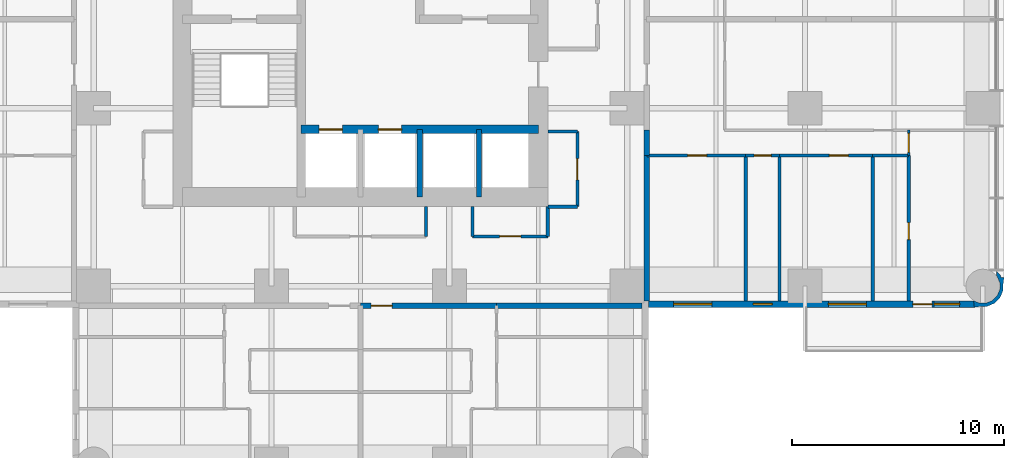
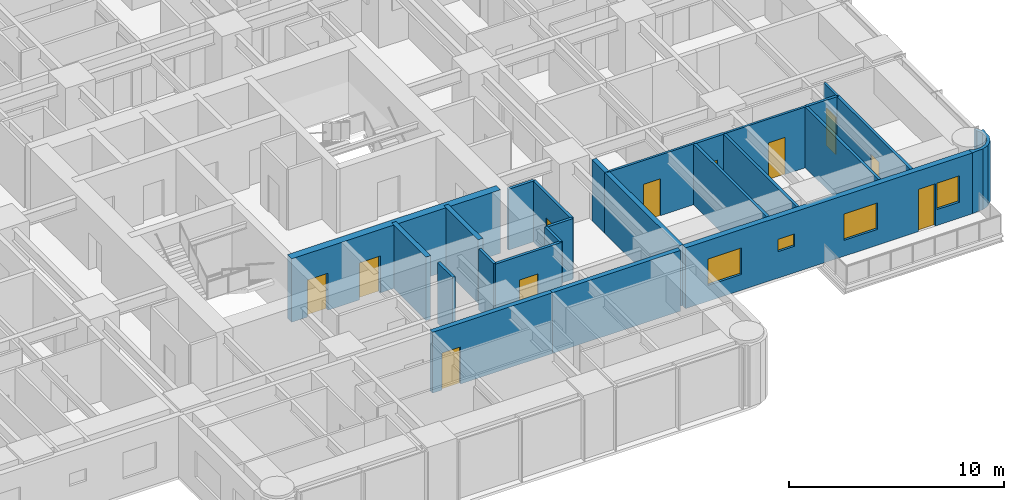
# One storey, part 9 of 15: 25 walls, 11 doors, 4 windows, 15 openings.
"""IFC4 building model written with IfcOpenShell, lengths in metres."""

from ifc_helpers import new_model, si_unit, direction, frame, frame_2d, origin, place, context, subcontext, project, spatial, polyline, rectangle, outline, extrude, material, layer, layer_set, type_object, element, fill, save


model = new_model("IFC4")

# Units and contexts
model_context = context("Model", 3, precision=1e-05, world=origin(), true_north=direction((0.0, 1.0)))
body_context = subcontext(model_context, "Body", "Model", "MODEL_VIEW")
ifc_project = project(units=[si_unit("LENGTHUNIT", "METRE"), si_unit("AREAUNIT", "SQUARE_METRE"), si_unit("VOLUMEUNIT", "CUBIC_METRE"), si_unit("PLANEANGLEUNIT", "RADIAN"), si_unit("MASSUNIT", "GRAM", prefix="KILO")], contexts=[model_context])

# Site, building, storey
site_placement = place(None, origin())
site = spatial("IfcSite", under=ifc_project, at=site_placement, CompositionType="ELEMENT")
building_placement = place(site_placement, origin())
building = spatial("IfcBuilding", under=site, at=building_placement, Name="Torre Alcanfor", CompositionType="ELEMENT")
storey_placement = place(building_placement, frame((0.0, 0.0, 148.5)))
storey = spatial("IfcBuildingStorey", under=building, at=storey_placement, Name="L38", CompositionType="ELEMENT", Elevation=148.5)

# Walls
ifc_material_1 = material(Name="Concrete block masonry, hollow blocks NMX-C-404 9 MPa", Category="masonry")
ifc_layer_1 = layer(ifc_material_1, 0.25)
ifc_layer_set_1 = layer_set([ifc_layer_1], Name="Apartment entrance wall 250 EI 60")
wall_type_1 = type_object("IfcWallType", Name="Apartment entrance wall 250 EI 60", PredefinedType="PARTITIONING", material=ifc_layer_set_1)
wall_1_placement = place(storey_placement, frame((42.925048828125, 24.1708984375, 0.0), z_axis=(0.0, 0.0, 1.0), x_axis=(0.0, -1.0, 0.0)))
element("IfcWall", 1, at=wall_1_placement, inside=storey, type_object=wall_type_1, Name="Partition L38-CORR / L38-E2-HALL", PredefinedType="PARTITIONING", context=body_context, shape_type="SweptSolid", body=[
    extrude(rectangle(XDim=1.199951171875, YDim=0.25, at=frame_2d((0.60009765625, 0.0))), origin(), (0.0, 0.0, 1.0), 3.449951171875),
])
wall_2_placement = place(storey_placement, frame((42.925048828125, 22.970947265625, 0.0), z_axis=(0.0, 0.0, 1.0), x_axis=(0.0, -1.0, 0.0)))
element("IfcWall", 2, at=wall_2_placement, inside=storey, type_object=wall_type_1, Name="Partition L38-CORR / L38-E2-BED3", PredefinedType="PARTITIONING", context=body_context, shape_type="SweptSolid", body=[
    extrude(rectangle(XDim=6.870849609375, YDim=0.25, at=frame_2d((3.435546875, 0.0))), origin(), (0.0, 0.0, 1.0), 3.449951171875),
])

# Wall, opening, door
wall_3_placement = place(storey_placement, frame((35.8291015625, 15.875, 0.0), z_axis=(0.0, 0.0, 1.0), x_axis=(-1.0, 0.0, 0.0)))
wall_3 = element("IfcWall", 3, at=wall_3_placement, inside=storey, type_object=wall_type_1, Name="Partition L38-CORR / L38-S1-LIVING", PredefinedType="PARTITIONING", context=body_context, shape_type="SweptSolid", body=[
    extrude(rectangle(XDim=6.42919921875, YDim=0.25, at=frame_2d((3.214599609375, 0.0))), origin(), (0.0, 0.0, 1.0), 3.449951171875),
])
opening_1_placement = place(wall_3_placement, frame((4.928955078125, 0.0, 0.0)))
opening_1 = element("IfcOpeningElement", 4, at=opening_1_placement, cuts=wall_3, Name="Opening D-A1", PredefinedType="OPENING", context=body_context, shape_type="SweptSolid", body=[
    extrude(rectangle(XDim=1.0, YDim=2.10009765625, at=frame_2d((0.5, 1.050048828125))), frame((0.0, 0.135009765625, 0.0), z_axis=(0.0, -1.0, 0.0), x_axis=(1.0, 0.0, 0.0)), (0.0, 0.0, 1.0), 0.27001953125),
])
ifc_material_2 = material(Name="Galvanised steel sheet ASTM A653", Category="steel")
door_type_1 = type_object("IfcDoorType", Name="Apartment entrance door FD60 1000x2100", OperationType="SINGLE_SWING_LEFT", PredefinedType="DOOR", material=ifc_material_2)
door_1_placement = place(opening_1_placement, origin())
door_1 = element("IfcDoor", 5, at=door_1_placement, inside=storey, type_object=door_type_1, Name="Apartment entrance L38-S1", OperationType="SINGLE_SWING_RIGHT", OverallHeight=2.10009765625, OverallWidth=1.0, PredefinedType="DOOR", context=body_context, shape_type="SweptSolid", body=[
    extrude(rectangle(XDim=1.0, YDim=2.10009765625, at=frame_2d((0.5, 1.050048828125))), frame((0.0, 0.02490234375, 0.0), z_axis=(0.0, -1.0, 0.0), x_axis=(1.0, 0.0, 0.0)), (0.0, 0.0, 1.0), 0.050048828125),
])
fill(opening_1, door_1)

# Wall
wall_4_placement = place(storey_placement, frame((42.699951171875, 15.875, 0.0), z_axis=(0.0, 0.0, 1.0), x_axis=(-1.0, 0.0, 0.0)))
element("IfcWall", 6, at=wall_4_placement, inside=storey, type_object=wall_type_1, Name="Partition L38-CORR / L38-S1-BATH", PredefinedType="PARTITIONING", context=body_context, shape_type="SweptSolid", body=[
    extrude(rectangle(XDim=6.870849609375, YDim=0.25, at=frame_2d((3.435546875, 0.0))), origin(), (0.0, 0.0, 1.0), 3.449951171875),
])

# Wall, opening, door
ifc_material_3 = material(Name="Gypsum board on steel studs", Category="steel")
ifc_layer_2 = layer(ifc_material_3, 0.1201171875)
ifc_layer_set_2 = layer_set([ifc_layer_2], Name="Apartment partition 120")
wall_type_2 = type_object("IfcWallType", Name="Apartment partition 120", PredefinedType="PARTITIONING", material=ifc_layer_set_2)
wall_5_placement = place(storey_placement, frame((47.60009765625, 22.970947265625, 0.0), z_axis=(0.0, 0.0, 1.0), x_axis=(-1.0, 0.0, 0.0)))
wall_5 = element("IfcWall", 7, at=wall_5_placement, inside=storey, type_object=wall_type_2, Name="Partition L38-E2-HALL / L38-E2-BED3", PredefinedType="PARTITIONING", context=body_context, shape_type="SweptSolid", body=[
    extrude(rectangle(XDim=4.675048828125, YDim=0.1201171875, at=frame_2d((2.33740234375, 0.0))), origin(), (0.0, 0.0, 1.0), 3.449951171875),
])
opening_2_placement = place(wall_5_placement, frame((1.85009765625, 0.0, 0.0)))
opening_2 = element("IfcOpeningElement", 8, at=opening_2_placement, cuts=wall_5, Name="Opening D-R1", PredefinedType="OPENING", context=body_context, shape_type="SweptSolid", body=[
    extrude(rectangle(XDim=0.89990234375, YDim=2.10009765625, at=frame_2d((0.449951171875, 1.050048828125))), frame((0.0, 0.070068359375, 0.0), z_axis=(0.0, -1.0, 0.0), x_axis=(1.0, 0.0, 0.0)), (0.0, 0.0, 1.0), 0.14013671875),
])
ifc_material_4 = material(Name="Timber", Category="wood")
door_type_2 = type_object("IfcDoorType", Name="Internal door 900x2100", OperationType="SINGLE_SWING_LEFT", PredefinedType="DOOR", material=ifc_material_4)
door_2_placement = place(opening_2_placement, origin())
door_2 = element("IfcDoor", 9, at=door_2_placement, inside=storey, type_object=door_type_2, Name="Door L38-E2 bed3", OperationType="SINGLE_SWING_LEFT", OverallHeight=2.10009765625, OverallWidth=0.89990234375, PredefinedType="DOOR", context=body_context, shape_type="SweptSolid", body=[
    extrude(rectangle(XDim=0.89990234375, YDim=2.10009765625, at=frame_2d((0.449951171875, 1.050048828125))), frame((0.0, 0.02490234375, 0.0), z_axis=(0.0, -1.0, 0.0), x_axis=(1.0, 0.0, 0.0)), (0.0, 0.0, 1.0), 0.050048828125),
])
fill(opening_2, door_2)

wall_6_placement = place(storey_placement, frame((53.60009765625, 22.970947265625, 0.0), z_axis=(0.0, 0.0, 1.0), x_axis=(-1.0, 0.0, 0.0)))
wall_6 = element("IfcWall", 10, at=wall_6_placement, inside=storey, type_object=wall_type_2, Name="Partition L38-E2-HALL / L38-E2-BED2", PredefinedType="PARTITIONING", context=body_context, shape_type="SweptSolid", body=[
    extrude(rectangle(XDim=4.400146484375, YDim=0.1201171875, at=frame_2d((2.2001953125, 0.0))), origin(), (0.0, 0.0, 1.0), 3.449951171875),
])
opening_3_placement = place(wall_6_placement, frame((1.14990234375, 0.0, 0.0)))
opening_3 = element("IfcOpeningElement", 11, at=opening_3_placement, cuts=wall_6, Name="Opening D-R1", PredefinedType="OPENING", context=body_context, shape_type="SweptSolid", body=[
    extrude(rectangle(XDim=0.89990234375, YDim=2.10009765625, at=frame_2d((0.449951171875, 1.050048828125))), frame((0.0, 0.070068359375, 0.0), z_axis=(0.0, -1.0, 0.0), x_axis=(1.0, 0.0, 0.0)), (0.0, 0.0, 1.0), 0.14013671875),
])
door_3_placement = place(opening_3_placement, origin())
door_3 = element("IfcDoor", 12, at=door_3_placement, inside=storey, type_object=door_type_2, Name="Door L38-E2 bed2", OperationType="SINGLE_SWING_LEFT", OverallHeight=2.10009765625, OverallWidth=0.89990234375, PredefinedType="DOOR", context=body_context, shape_type="SweptSolid", body=[
    extrude(rectangle(XDim=0.89990234375, YDim=2.10009765625, at=frame_2d((0.449951171875, 1.050048828125))), frame((0.0, 0.02490234375, 0.0), z_axis=(0.0, -1.0, 0.0), x_axis=(1.0, 0.0, 0.0)), (0.0, 0.0, 1.0), 0.050048828125),
])
fill(opening_3, door_3)

wall_7_placement = place(storey_placement, frame((55.300048828125, 24.1708984375, 0.0), z_axis=(0.0, 0.0, 1.0), x_axis=(0.0, -1.0, 0.0)))
wall_7 = element("IfcWall", 13, at=wall_7_placement, inside=storey, type_object=wall_type_2, Name="Partition L38-E2-HALL / L38-E2-MASTER", PredefinedType="PARTITIONING", context=body_context, shape_type="SweptSolid", body=[
    extrude(rectangle(XDim=1.199951171875, YDim=0.1201171875, at=frame_2d((0.60009765625, 0.0))), origin(), (0.0, 0.0, 1.0), 3.449951171875),
])
opening_4_placement = place(wall_7_placement, frame((0.15087890625, 0.0, 0.0)))
opening_4 = element("IfcOpeningElement", 14, at=opening_4_placement, cuts=wall_7, Name="Opening D-R1", PredefinedType="OPENING", context=body_context, shape_type="SweptSolid", body=[
    extrude(rectangle(XDim=0.89990234375, YDim=2.10009765625, at=frame_2d((0.449951171875, 1.050048828125))), frame((0.0, 0.070068359375, 0.0), z_axis=(0.0, -1.0, 0.0), x_axis=(1.0, 0.0, 0.0)), (0.0, 0.0, 1.0), 0.14013671875),
])
door_4_placement = place(opening_4_placement, origin())
door_4 = element("IfcDoor", 15, at=door_4_placement, inside=storey, type_object=door_type_2, Name="Door L38-E2 master", OperationType="SINGLE_SWING_LEFT", OverallHeight=2.10009765625, OverallWidth=0.89990234375, PredefinedType="DOOR", context=body_context, shape_type="SweptSolid", body=[
    extrude(rectangle(XDim=0.89990234375, YDim=2.10009765625, at=frame_2d((0.449951171875, 1.050048828125))), frame((0.0, 0.02490234375, 0.0), z_axis=(0.0, -1.0, 0.0), x_axis=(1.0, 0.0, 0.0)), (0.0, 0.0, 1.0), 0.050048828125),
])
fill(opening_4, door_4)

# Wall, openings, doors
ifc_material_5 = material(Name="Concrete f'c 70 MPa", Category="concrete")
ifc_layer_3 = layer(ifc_material_5, 0.39990234375)
ifc_layer_set_3 = layer_set([ifc_layer_3], Name="Core inner wall 400 f'c70")
wall_type_3 = type_object("IfcWallType", Name="Core inner wall 400 f'c70", PredefinedType="SHEAR", material=ifc_layer_set_3)
wall_8_placement = place(storey_placement, frame((26.60009765625, 24.199951171875, 0.0), z_axis=(0.0, 0.0, 1.0), x_axis=(1.0, 0.0, 0.0)))
wall_8 = element("IfcWall", 16, at=wall_8_placement, inside=storey, type_object=wall_type_3, Name="Core wall Y242 L38", PredefinedType="SHEAR", context=body_context, shape_type="SweptSolid", body=[
    extrude(rectangle(XDim=11.199951171875, YDim=0.39990234375, at=frame_2d((5.60009765625, 0.0))), origin(), (0.0, 0.0, 1.0), 3.60009765625),
])
opening_5_placement = place(wall_8_placement, frame((0.85009765625, 0.0, 0.0)))
opening_5 = element("IfcOpeningElement", 17, at=opening_5_placement, cuts=wall_8, Name="Opening LD1", PredefinedType="OPENING", context=body_context, shape_type="SweptSolid", body=[
    extrude(rectangle(XDim=1.10009765625, YDim=2.10009765625, at=frame_2d((0.550048828125, 1.050048828125))), frame((0.0, 0.2099609375, 0.0), z_axis=(0.0, -1.0, 0.0), x_axis=(1.0, 0.0, 0.0)), (0.0, 0.0, 1.0), 0.419921875),
])
opening_6_placement = place(wall_8_placement, frame((3.64990234375, 0.0, 0.0)))
opening_6 = element("IfcOpeningElement", 18, at=opening_6_placement, cuts=wall_8, Name="Opening LD1", PredefinedType="OPENING", context=body_context, shape_type="SweptSolid", body=[
    extrude(rectangle(XDim=1.10009765625, YDim=2.10009765625, at=frame_2d((0.550048828125, 1.050048828125))), frame((0.0, 0.2099609375, 0.0), z_axis=(0.0, -1.0, 0.0), x_axis=(1.0, 0.0, 0.0)), (0.0, 0.0, 1.0), 0.419921875),
])
ifc_material_6 = material(Name="Galvanised steel sheet ASTM A653", Category="steel")
door_type_3 = type_object("IfcDoorType", Name="Lift landing door 1100x2100", OperationType="DOUBLE_DOOR_SLIDING", PredefinedType="DOOR", material=ifc_material_6)
door_5_placement = place(opening_5_placement, origin())
door_5 = element("IfcDoor", 19, at=door_5_placement, inside=storey, type_object=door_type_3, Name="Lift landing door PA1 L38", OperationType="DOUBLE_DOOR_SLIDING", OverallHeight=2.10009765625, OverallWidth=1.10009765625, PredefinedType="DOOR", context=body_context, shape_type="SweptSolid", body=[
    extrude(rectangle(XDim=1.10009765625, YDim=2.10009765625, at=frame_2d((0.550048828125, 1.050048828125))), frame((0.0, 0.02490234375, 0.0), z_axis=(0.0, -1.0, 0.0), x_axis=(1.0, 0.0, 0.0)), (0.0, 0.0, 1.0), 0.050048828125),
])
fill(opening_5, door_5)
door_6_placement = place(opening_6_placement, origin())
door_6 = element("IfcDoor", 20, at=door_6_placement, inside=storey, type_object=door_type_3, Name="Lift landing door PA2 L38", OperationType="DOUBLE_DOOR_SLIDING", OverallHeight=2.10009765625, OverallWidth=1.10009765625, PredefinedType="DOOR", context=body_context, shape_type="SweptSolid", body=[
    extrude(rectangle(XDim=1.10009765625, YDim=2.10009765625, at=frame_2d((0.550048828125, 1.050048828125))), frame((0.0, 0.02490234375, 0.0), z_axis=(0.0, -1.0, 0.0), x_axis=(1.0, 0.0, 0.0)), (0.0, 0.0, 1.0), 0.050048828125),
])
fill(opening_6, door_6)

# Walls
ifc_material_7 = material(Name="Concrete f'c 70 MPa", Category="concrete")
ifc_layer_4 = layer(ifc_material_7, 0.25)
ifc_layer_set_4 = layer_set([ifc_layer_4], Name="Core shaft wall 250 f'c70")
wall_type_4 = type_object("IfcWallType", Name="Core shaft wall 250 f'c70", PredefinedType="SHEAR", material=ifc_layer_set_4)
for number, where, z_axis, x_axis, name in (
    (21, (32.199951171875, 21.0, 0.0), (0.0, 0.0, 1.0), (0.0, 1.0, 0.0), "Core wall X322S L38"),
    (22, (35.0, 21.0, 0.0), (0.0, 0.0, 1.0), (0.0, 1.0, 0.0), "Core wall X350S L38"),
):
    element("IfcWall", number, at=place(storey_placement, frame(where, z_axis=z_axis, x_axis=x_axis)), inside=storey, type_object=wall_type_4, Name=name, PredefinedType="SHEAR", context=body_context, shape_type="SweptSolid", body=[
        extrude(rectangle(XDim=3.199951171875, YDim=0.25, at=frame_2d((1.60009765625, 0.0))), origin(), (0.0, 0.0, 1.0), 3.60009765625),
    ])

# Wall, openings, door, windows
ifc_material_8 = material(Name="Limestone cladding", Category="masonry")
ifc_layer_5 = layer(ifc_material_8, 0.0400390625, Name="Facing")
ifc_material_9 = material(Name="Ventilated air cavity")
ifc_layer_6 = layer(ifc_material_9, 0.02001953125, ventilated=True, Name="Ventilated joint")
ifc_material_10 = material(Name="Mineral wool insulation", Category="insulation")
ifc_layer_7 = layer(ifc_material_10, 0.10009765625, Name="Insulation")
ifc_material_11 = material(Name="Concrete f'c 35 MPa", Category="concrete")
ifc_layer_8 = layer(ifc_material_11, 0.139892578125, Name="Backing")
ifc_layer_set_5 = layer_set([ifc_layer_5, ifc_layer_6, ifc_layer_7, ifc_layer_8], Name="External wall stone-clad 300")
wall_type_5 = type_object("IfcWallType", Name="External wall stone-clad 300", PredefinedType="SOLIDWALL", material=ifc_layer_set_5)
wall_9_placement = place(storey_placement, frame((43.0, 15.949951171875, 0.0), z_axis=(0.0, 0.0, 1.0), x_axis=(1.0, 0.0, 0.0)))
wall_9 = element("IfcWall", 23, at=wall_9_placement, inside=storey, type_object=wall_type_5, Name="External wall L38 7", PredefinedType="SOLIDWALL", context=body_context, shape_type="SweptSolid", body=[
    extrude(rectangle(XDim=15.39990234375, YDim=0.300048828125, at=frame_2d((7.699951171875, 0.0))), origin(), (0.0, 0.0, 1.0), 3.449951171875),
])
opening_7_placement = place(wall_9_placement, frame((1.199951171875, 0.0, 0.89990234375)))
opening_7 = element("IfcOpeningElement", 24, at=opening_7_placement, cuts=wall_9, Name="Opening W2", PredefinedType="OPENING", context=body_context, shape_type="SweptSolid", body=[
    extrude(rectangle(XDim=1.800048828125, YDim=1.5, at=frame_2d((0.89990234375, 0.75))), frame((0.0, 0.159912109375, 0.0), z_axis=(0.0, -1.0, 0.0), x_axis=(1.0, 0.0, 0.0)), (0.0, 0.0, 1.0), 0.320068359375),
])
opening_8_placement = place(wall_9_placement, frame((4.949951171875, 0.0, 1.5)))
opening_8 = element("IfcOpeningElement", 25, at=opening_8_placement, cuts=wall_9, Name="Opening W3", PredefinedType="OPENING", context=body_context, shape_type="SweptSolid", body=[
    extrude(rectangle(XDim=0.89990234375, YDim=0.699951171875, at=frame_2d((0.449951171875, 0.35009765625))), frame((0.0, 0.159912109375, 0.0), z_axis=(0.0, -1.0, 0.0), x_axis=(1.0, 0.0, 0.0)), (0.0, 0.0, 1.0), 0.320068359375),
])
opening_9_placement = place(wall_9_placement, frame((8.5, 0.0, 0.89990234375)))
opening_9 = element("IfcOpeningElement", 26, at=opening_9_placement, cuts=wall_9, Name="Opening W2", PredefinedType="OPENING", context=body_context, shape_type="SweptSolid", body=[
    extrude(rectangle(XDim=1.800048828125, YDim=1.5, at=frame_2d((0.89990234375, 0.75))), frame((0.0, 0.159912109375, 0.0), z_axis=(0.0, -1.0, 0.0), x_axis=(1.0, 0.0, 0.0)), (0.0, 0.0, 1.0), 0.320068359375),
])
opening_10_placement = place(wall_9_placement, frame((12.5, 0.0, 0.0)))
opening_10 = element("IfcOpeningElement", 27, at=opening_10_placement, cuts=wall_9, Name="Opening D-B1", PredefinedType="OPENING", context=body_context, shape_type="SweptSolid", body=[
    extrude(rectangle(XDim=0.89990234375, YDim=2.39990234375, at=frame_2d((0.449951171875, 1.199951171875))), frame((0.0, 0.159912109375, 0.0), z_axis=(0.0, -1.0, 0.0), x_axis=(1.0, 0.0, 0.0)), (0.0, 0.0, 1.0), 0.320068359375),
])
opening_11_placement = place(wall_9_placement, frame((13.5, 0.0, 0.89990234375)))
opening_11 = element("IfcOpeningElement", 28, at=opening_11_placement, cuts=wall_9, Name="Opening W4", PredefinedType="OPENING", context=body_context, shape_type="SweptSolid", body=[
    extrude(rectangle(XDim=1.199951171875, YDim=1.5, at=frame_2d((0.60009765625, 0.75))), frame((0.0, 0.159912109375, 0.0), z_axis=(0.0, -1.0, 0.0), x_axis=(1.0, 0.0, 0.0)), (0.0, 0.0, 1.0), 0.320068359375),
])
ifc_material_12 = material(Name="Aluminium and glass", Category="aluminium")
door_type_4 = type_object("IfcDoorType", Name="Balcony door glazed 900x2400", OperationType="SINGLE_SWING_LEFT", PredefinedType="DOOR", material=ifc_material_12)
door_7_placement = place(opening_10_placement, origin())
door_7 = element("IfcDoor", 29, at=door_7_placement, inside=storey, type_object=door_type_4, Name="Balcony door L38-E2", OperationType="SINGLE_SWING_LEFT", OverallHeight=2.39990234375, OverallWidth=0.89990234375, PredefinedType="DOOR", context=body_context, shape_type="SweptSolid", body=[
    extrude(rectangle(XDim=0.89990234375, YDim=2.39990234375, at=frame_2d((0.449951171875, 1.199951171875))), frame((0.0, 0.02490234375, 0.0), z_axis=(0.0, -1.0, 0.0), x_axis=(1.0, 0.0, 0.0)), (0.0, 0.0, 1.0), 0.050048828125),
])
fill(opening_10, door_7)
ifc_material_13 = material(Name="Aluminium frame with clear double glazing", Category="aluminium")
window_type_1 = type_object("IfcWindowType", Name="Window bathroom 900x700", PartitioningType="SINGLE_PANEL", PredefinedType="WINDOW", material=ifc_material_13)
window_1_placement = place(opening_8_placement, origin())
window_1 = element("IfcWindow", 30, at=window_1_placement, inside=storey, type_object=window_type_1, Name="Window W3 L38-E2", OverallHeight=0.699951171875, OverallWidth=0.89990234375, PartitioningType="SINGLE_PANEL", PredefinedType="WINDOW", context=body_context, shape_type="SweptSolid", body=[
    extrude(rectangle(XDim=0.89990234375, YDim=0.699951171875, at=frame_2d((0.449951171875, 0.35009765625))), frame((0.0, 0.030029296875, 0.0), z_axis=(0.0, -1.0, 0.0), x_axis=(1.0, 0.0, 0.0)), (0.0, 0.0, 1.0), 0.06005859375),
])
fill(opening_8, window_1)
ifc_material_14 = material(Name="Aluminium frame with clear double glazing", Category="aluminium")
window_type_2 = type_object("IfcWindowType", Name="Window bedroom 1200x1500", PartitioningType="SINGLE_PANEL", PredefinedType="WINDOW", material=ifc_material_14)
window_2_placement = place(opening_11_placement, origin())
window_2 = element("IfcWindow", 31, at=window_2_placement, inside=storey, type_object=window_type_2, Name="Window W4 L38-E2", OverallHeight=1.5, OverallWidth=1.199951171875, PartitioningType="SINGLE_PANEL", PredefinedType="WINDOW", context=body_context, shape_type="SweptSolid", body=[
    extrude(rectangle(XDim=1.199951171875, YDim=1.5, at=frame_2d((0.60009765625, 0.75))), frame((0.0, 0.030029296875, 0.0), z_axis=(0.0, -1.0, 0.0), x_axis=(1.0, 0.0, 0.0)), (0.0, 0.0, 1.0), 0.06005859375),
])
fill(opening_11, window_2)
ifc_material_15 = material(Name="Aluminium frame with clear double glazing", Category="aluminium")
window_type_3 = type_object("IfcWindowType", Name="Window bedroom 1800x1500", PartitioningType="SINGLE_PANEL", PredefinedType="WINDOW", material=ifc_material_15)
window_3_placement = place(opening_7_placement, origin())
window_3 = element("IfcWindow", 32, at=window_3_placement, inside=storey, type_object=window_type_3, Name="Window W2 L38-E2", OverallHeight=1.5, OverallWidth=1.800048828125, PartitioningType="SINGLE_PANEL", PredefinedType="WINDOW", context=body_context, shape_type="SweptSolid", body=[
    extrude(rectangle(XDim=1.800048828125, YDim=1.5, at=frame_2d((0.89990234375, 0.75))), frame((0.0, 0.030029296875, 0.0), z_axis=(0.0, -1.0, 0.0), x_axis=(1.0, 0.0, 0.0)), (0.0, 0.0, 1.0), 0.06005859375),
])
fill(opening_7, window_3)
window_4_placement = place(opening_9_placement, origin())
window_4 = element("IfcWindow", 33, at=window_4_placement, inside=storey, type_object=window_type_3, Name="Window W2 L38-E2", OverallHeight=1.5, OverallWidth=1.800048828125, PartitioningType="SINGLE_PANEL", PredefinedType="WINDOW", context=body_context, shape_type="SweptSolid", body=[
    extrude(rectangle(XDim=1.800048828125, YDim=1.5, at=frame_2d((0.89990234375, 0.75))), frame((0.0, 0.030029296875, 0.0), z_axis=(0.0, -1.0, 0.0), x_axis=(1.0, 0.0, 0.0)), (0.0, 0.0, 1.0), 0.06005859375),
])
fill(opening_9, window_4)

# Wall
ifc_material_16 = material(Name="Concrete block masonry, hollow blocks NMX-C-404 9 MPa", Category="masonry")
ifc_layer_9 = layer(ifc_material_16, 0.14990234375)
ifc_layer_set_6 = layer_set([ifc_layer_9], Name="Residents' room partition 150")
wall_type_6 = type_object("IfcWallType", Name="Residents' room partition 150", PredefinedType="PARTITIONING", material=ifc_layer_set_6)
wall_10_placement = place(storey_placement, frame((38.25, 20.550048828125, 0.0), z_axis=(0.0, 0.0, 1.0), x_axis=(1.0, 0.0, 0.0)))
element("IfcWall", 34, at=wall_10_placement, inside=storey, type_object=wall_type_6, Name="Partition L38-CORR / L38-G03", PredefinedType="PARTITIONING", context=body_context, shape_type="SweptSolid", body=[
    extrude(rectangle(XDim=1.39990234375, YDim=0.14990234375, at=frame_2d((0.699951171875, 0.0))), origin(), (0.0, 0.0, 1.0), 3.449951171875),
])

# Wall, opening, door
wall_11_placement = place(storey_placement, frame((39.64990234375, 20.550048828125, 0.0), z_axis=(0.0, 0.0, 1.0), x_axis=(0.0, 1.0, 0.0)))
wall_11 = element("IfcWall", 35, at=wall_11_placement, inside=storey, type_object=wall_type_6, Name="Partition L38-CORR / L38-G03", PredefinedType="PARTITIONING", context=body_context, shape_type="SweptSolid", body=[
    extrude(rectangle(XDim=3.550048828125, YDim=0.14990234375, at=frame_2d((1.77490234375, 0.0))), origin(), (0.0, 0.0, 1.0), 3.449951171875),
])
opening_12_placement = place(wall_11_placement, frame((1.27490234375, 0.0, 0.0)))
opening_12 = element("IfcOpeningElement", 36, at=opening_12_placement, cuts=wall_11, Name="Opening D-M1", PredefinedType="OPENING", context=body_context, shape_type="SweptSolid", body=[
    extrude(rectangle(XDim=1.0, YDim=2.10009765625, at=frame_2d((0.5, 1.050048828125))), frame((0.0, 0.0849609375, 0.0), z_axis=(0.0, -1.0, 0.0), x_axis=(1.0, 0.0, 0.0)), (0.0, 0.0, 1.0), 0.169921875),
])
ifc_material_17 = material(Name="Timber", Category="wood")
door_type_5 = type_object("IfcDoorType", Name="Residents' room door 1000x2100", OperationType="SINGLE_SWING_LEFT", PredefinedType="DOOR", material=ifc_material_17)
door_8_placement = place(opening_12_placement, origin())
door_8 = element("IfcDoor", 37, at=door_8_placement, inside=storey, type_object=door_type_5, Name="Door L38-G03 parcel room", OperationType="SINGLE_SWING_LEFT", OverallHeight=2.10009765625, OverallWidth=1.0, PredefinedType="DOOR", context=body_context, shape_type="SweptSolid", body=[
    extrude(rectangle(XDim=1.0, YDim=2.10009765625, at=frame_2d((0.5, 1.050048828125))), frame((0.0, 0.02490234375, 0.0), z_axis=(0.0, -1.0, 0.0), x_axis=(1.0, 0.0, 0.0)), (0.0, 0.0, 1.0), 0.050048828125),
])
fill(opening_12, door_8)

# Walls
wall_12_placement = place(storey_placement, frame((39.64990234375, 24.10009765625, 0.0), z_axis=(0.0, 0.0, 1.0), x_axis=(-1.0, 0.0, 0.0)))
element("IfcWall", 38, at=wall_12_placement, inside=storey, type_object=wall_type_6, Name="Partition L38-CORR / L38-G03", PredefinedType="PARTITIONING", context=body_context, shape_type="SweptSolid", body=[
    extrude(rectangle(XDim=1.39990234375, YDim=0.14990234375, at=frame_2d((0.699951171875, 0.0))), origin(), (0.0, 0.0, 1.0), 3.449951171875),
])
for number, where, z_axis, x_axis, name in (
    (39, (32.5, 19.14990234375, 0.0), (0.0, 0.0, 1.0), (0.0, 1.0, 0.0), "Partition L38-CORR / L38-G05"),
    (40, (34.699951171875, 20.550048828125, 0.0), (0.0, 0.0, 1.0), (0.0, -1.0, 0.0), "Partition L38-CORR / L38-G06"),
):
    element("IfcWall", number, at=place(storey_placement, frame(where, z_axis=z_axis, x_axis=x_axis)), inside=storey, type_object=wall_type_6, Name=name, PredefinedType="PARTITIONING", context=body_context, shape_type="SweptSolid", body=[
        extrude(rectangle(XDim=1.400146484375, YDim=0.14990234375, at=frame_2d((0.7001953125, 0.0))), origin(), (0.0, 0.0, 1.0), 3.449951171875),
    ])

# Wall, opening, door
wall_13_placement = place(storey_placement, frame((34.699951171875, 19.14990234375, 0.0), z_axis=(0.0, 0.0, 1.0), x_axis=(1.0, 0.0, 0.0)))
wall_13 = element("IfcWall", 41, at=wall_13_placement, inside=storey, type_object=wall_type_6, Name="Partition L38-CORR / L38-G06", PredefinedType="PARTITIONING", context=body_context, shape_type="SweptSolid", body=[
    extrude(rectangle(XDim=3.550048828125, YDim=0.14990234375, at=frame_2d((1.77490234375, 0.0))), origin(), (0.0, 0.0, 1.0), 3.449951171875),
])
opening_13_placement = place(wall_13_placement, frame((1.27490234375, 0.0, 0.0)))
opening_13 = element("IfcOpeningElement", 42, at=opening_13_placement, cuts=wall_13, Name="Opening D-M1", PredefinedType="OPENING", context=body_context, shape_type="SweptSolid", body=[
    extrude(rectangle(XDim=1.0, YDim=2.10009765625, at=frame_2d((0.5, 1.050048828125))), frame((0.0, 0.0849609375, 0.0), z_axis=(0.0, -1.0, 0.0), x_axis=(1.0, 0.0, 0.0)), (0.0, 0.0, 1.0), 0.169921875),
])
door_9_placement = place(opening_13_placement, origin())
door_9 = element("IfcDoor", 43, at=door_9_placement, inside=storey, type_object=door_type_5, Name="Door L38-G06 cleaners' store", OperationType="SINGLE_SWING_LEFT", OverallHeight=2.10009765625, OverallWidth=1.0, PredefinedType="DOOR", context=body_context, shape_type="SweptSolid", body=[
    extrude(rectangle(XDim=1.0, YDim=2.10009765625, at=frame_2d((0.5, 1.050048828125))), frame((0.0, 0.02490234375, 0.0), z_axis=(0.0, -1.0, 0.0), x_axis=(1.0, 0.0, 0.0)), (0.0, 0.0, 1.0), 0.050048828125),
])
fill(opening_13, door_9)

# Walls
wall_14_placement = place(storey_placement, frame((38.25, 19.14990234375, 0.0), z_axis=(0.0, 0.0, 1.0), x_axis=(0.0, 1.0, 0.0)))
element("IfcWall", 44, at=wall_14_placement, inside=storey, type_object=wall_type_6, Name="Partition L38-CORR / L38-G06", PredefinedType="PARTITIONING", context=body_context, shape_type="SweptSolid", body=[
    extrude(rectangle(XDim=1.400146484375, YDim=0.14990234375, at=frame_2d((0.7001953125, 0.0))), origin(), (0.0, 0.0, 1.0), 3.449951171875),
])
ifc_layer_10 = layer(ifc_material_8, 0.0400390625, Name="Facing")
ifc_layer_11 = layer(ifc_material_9, 0.02001953125, ventilated=True, Name="Ventilated joint")
ifc_layer_12 = layer(ifc_material_10, 0.10009765625, Name="Insulation")
ifc_layer_13 = layer(ifc_material_11, 0.139892578125, Name="Backing")
ifc_layer_set_7 = layer_set([ifc_layer_10, ifc_layer_11, ifc_layer_12, ifc_layer_13], Name="Rounded corner pier stone-clad 300")
wall_type_7 = type_object("IfcWallType", Name="Rounded corner pier stone-clad 300", PredefinedType="SOLIDWALL", material=ifc_layer_set_7)
wall_15_placement = place(storey_placement, frame((58.473176205, 15.982940512, 0.0), z_axis=(0.0, 0.0, 1.0), x_axis=(0.93923434088, -0.343276641956, 0.0)))
element("IfcWall", 45, at=wall_15_placement, inside=storey, type_object=wall_type_7, Name="Corner pier L38 17", PredefinedType="SOLIDWALL", context=body_context, shape_type="SweptSolid", body=[
    extrude(outline(polyline([(0.8284730010654036, 1.5985425833407376), (0.696550254150438, 1.5690420941096577), (0.604150309609554, 1.6696580493968027), (0.3940514645210207, 1.7672868618913617), (0.47123842429676593, 1.5560967183488668), (0.5084988752141064, 1.538782517623304), (0.7242236800575332, 1.304144262222244), (0.8335928250166512, 1.004900899222292), (0.8200123708562836, 0.6864548699061994), (0.6857181921193565, 0.39745154052212156), (0.4509961289443815, 0.18195604093769838), (0.15175276594442946, 0.07258689597858048), (-0.11627514476265094, 0.08405951949541965), (-0.12738305855443924, 0.07818018621272643), (-0.1459567845337466, 0.07139175652560875), (-0.006038883692560254, -0.1969313551897346), (0.2657016888450987, -0.05498461418889633), (0.5353646734335612, 0.04357332793518234), (0.8165937238928549, 0.3018001061266741), (0.9775139424010254, 0.6481031205348973), (0.9937655592370759, 1.0296500763704852), (0.8951238093390822, 1.2995423662179517), (0.8284730010654036, 1.5985425833407376)])), origin(), (0.0, 0.0, 1.0), 3.449951171875),
])

# Wall, opening, door
ifc_material_18 = material(Name="Cement board on steel studs", Category="steel")
ifc_layer_14 = layer(ifc_material_18, 0.14990234375)
ifc_layer_set_8 = layer_set([ifc_layer_14], Name="Wet area partition 150")
wall_type_8 = type_object("IfcWallType", Name="Wet area partition 150", PredefinedType="PARTITIONING", material=ifc_layer_set_8)
wall_16_placement = place(storey_placement, frame((49.199951171875, 22.970947265625, 0.0), z_axis=(0.0, 0.0, 1.0), x_axis=(-1.0, 0.0, 0.0)))
wall_16 = element("IfcWall", 46, at=wall_16_placement, inside=storey, type_object=wall_type_8, Name="Partition L38-E2-HALL / L38-E2-BATH1", PredefinedType="PARTITIONING", context=body_context, shape_type="SweptSolid", body=[
    extrude(rectangle(XDim=1.599853515625, YDim=0.14990234375, at=frame_2d((0.7998046875, 0.0))), origin(), (0.0, 0.0, 1.0), 3.449951171875),
])
opening_14_placement = place(wall_16_placement, frame((0.39990234375, 0.0, 0.0)))
opening_14 = element("IfcOpeningElement", 47, at=opening_14_placement, cuts=wall_16, Name="Opening D-R2", PredefinedType="OPENING", context=body_context, shape_type="SweptSolid", body=[
    extrude(rectangle(XDim=0.800048828125, YDim=2.10009765625, at=frame_2d((0.39990234375, 1.050048828125))), frame((0.0, 0.0849609375, 0.0), z_axis=(0.0, -1.0, 0.0), x_axis=(1.0, 0.0, 0.0)), (0.0, 0.0, 1.0), 0.169921875),
])
ifc_material_19 = material(Name="Timber", Category="wood")
door_type_6 = type_object("IfcDoorType", Name="Bathroom door 800x2100", OperationType="SINGLE_SWING_LEFT", PredefinedType="DOOR", material=ifc_material_19)
door_10_placement = place(opening_14_placement, origin())
door_10 = element("IfcDoor", 48, at=door_10_placement, inside=storey, type_object=door_type_6, Name="Door L38-E2 bath1", OperationType="SINGLE_SWING_LEFT", OverallHeight=2.10009765625, OverallWidth=0.800048828125, PredefinedType="DOOR", context=body_context, shape_type="SweptSolid", body=[
    extrude(rectangle(XDim=0.800048828125, YDim=2.10009765625, at=frame_2d((0.39990234375, 1.050048828125))), frame((0.0, 0.02490234375, 0.0), z_axis=(0.0, -1.0, 0.0), x_axis=(1.0, 0.0, 0.0)), (0.0, 0.0, 1.0), 0.050048828125),
])
fill(opening_14, door_10)

# Walls
wall_17_placement = place(storey_placement, frame((55.300048828125, 22.970947265625, 0.0), z_axis=(0.0, 0.0, 1.0), x_axis=(-1.0, 0.0, 0.0)))
element("IfcWall", 49, at=wall_17_placement, inside=storey, type_object=wall_type_8, Name="Partition L38-E2-HALL / L38-E2-ENSBATH", PredefinedType="PARTITIONING", context=body_context, shape_type="SweptSolid", body=[
    extrude(rectangle(XDim=1.699951171875, YDim=0.14990234375, at=frame_2d((0.85009765625, 0.0))), origin(), (0.0, 0.0, 1.0), 3.449951171875),
])
for number, where, z_axis, x_axis, name in (
    (50, (47.60009765625, 22.970947265625, 0.0), (0.0, 0.0, 1.0), (0.0, -1.0, 0.0), "Partition L38-E2-BED3 / L38-E2-BATH1"),
    (51, (49.199951171875, 22.970947265625, 0.0), (0.0, 0.0, 1.0), (0.0, -1.0, 0.0), "Partition L38-E2-BATH1 / L38-E2-BED2"),
    (52, (53.60009765625, 22.970947265625, 0.0), (0.0, 0.0, 1.0), (0.0, -1.0, 0.0), "Partition L38-E2-BED2 / L38-E2-ENSBATH"),
):
    element("IfcWall", number, at=place(storey_placement, frame(where, z_axis=z_axis, x_axis=x_axis)), inside=storey, type_object=wall_type_8, Name=name, PredefinedType="PARTITIONING", context=body_context, shape_type="SweptSolid", body=[
        extrude(rectangle(XDim=6.870849609375, YDim=0.14990234375, at=frame_2d((3.435546875, 0.0))), origin(), (0.0, 0.0, 1.0), 3.449951171875),
    ])

# Wall, opening, door
wall_18_placement = place(storey_placement, frame((55.300048828125, 22.970947265625, 0.0), z_axis=(0.0, 0.0, 1.0), x_axis=(0.0, -1.0, 0.0)))
wall_18 = element("IfcWall", 53, at=wall_18_placement, inside=storey, type_object=wall_type_8, Name="Partition L38-E2-ENSBATH / L38-E2-MASTER", PredefinedType="PARTITIONING", context=body_context, shape_type="SweptSolid", body=[
    extrude(rectangle(XDim=6.870849609375, YDim=0.14990234375, at=frame_2d((3.435546875, 0.0))), origin(), (0.0, 0.0, 1.0), 3.449951171875),
])
opening_15_placement = place(wall_18_placement, frame((3.1708984375, 0.0, 0.0)))
opening_15 = element("IfcOpeningElement", 54, at=opening_15_placement, cuts=wall_18, Name="Opening D-R2", PredefinedType="OPENING", context=body_context, shape_type="SweptSolid", body=[
    extrude(rectangle(XDim=0.800048828125, YDim=2.10009765625, at=frame_2d((0.39990234375, 1.050048828125))), frame((0.0, 0.0849609375, 0.0), z_axis=(0.0, -1.0, 0.0), x_axis=(1.0, 0.0, 0.0)), (0.0, 0.0, 1.0), 0.169921875),
])
door_11_placement = place(opening_15_placement, frame((0.800048828125, 0.0, 0.0), z_axis=(0.0, 0.0, 1.0), x_axis=(-1.0, 0.0, 0.0)))
door_11 = element("IfcDoor", 55, at=door_11_placement, inside=storey, type_object=door_type_6, Name="Door L38-E2 ensbath", OperationType="SINGLE_SWING_LEFT", OverallHeight=2.10009765625, OverallWidth=0.800048828125, PredefinedType="DOOR", context=body_context, shape_type="SweptSolid", body=[
    extrude(rectangle(XDim=0.800048828125, YDim=2.10009765625, at=frame_2d((0.400146484375, 1.050048828125))), frame((0.0, 0.025146484375, 0.0), z_axis=(0.0, -1.0, 0.0), x_axis=(1.0, 0.0, 0.0)), (0.0, 0.0, 1.0), 0.050048828125),
])
fill(opening_15, door_11)

save(model, "model.ifc")
